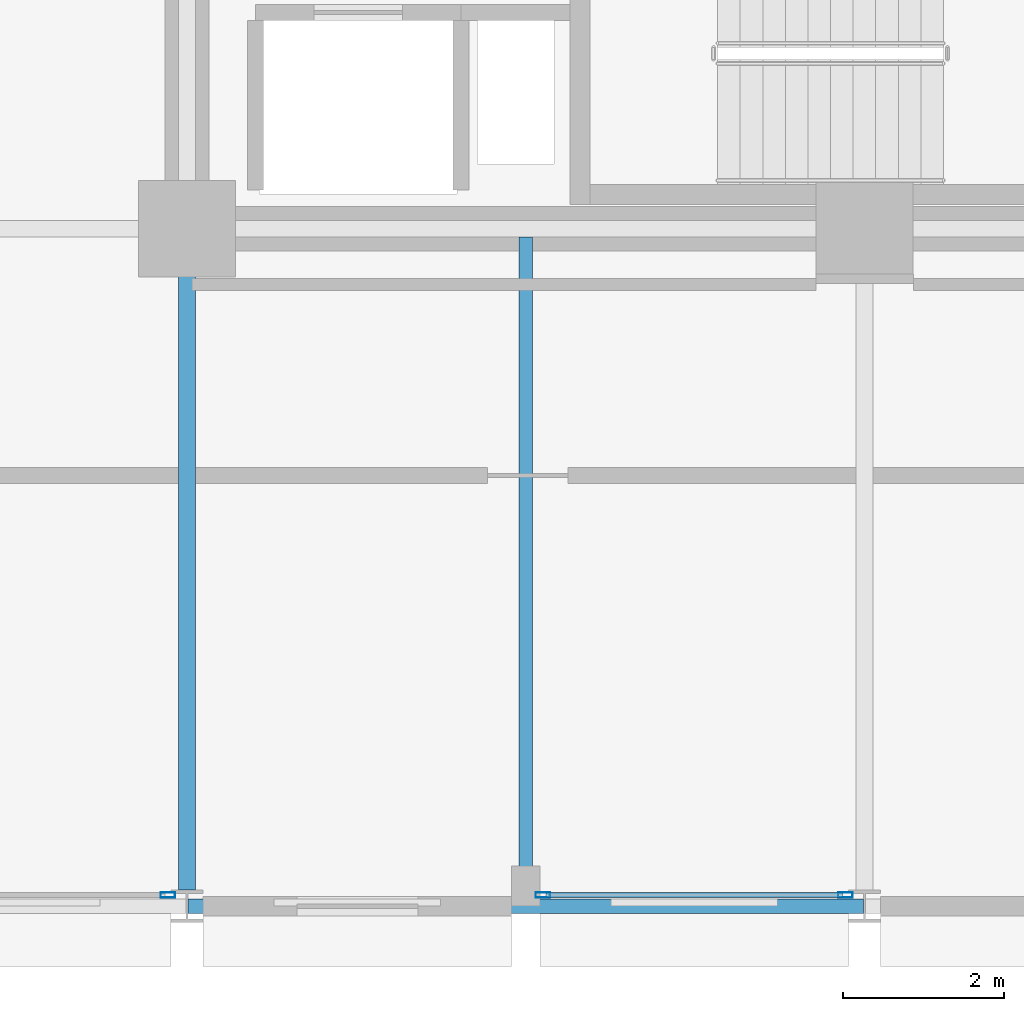
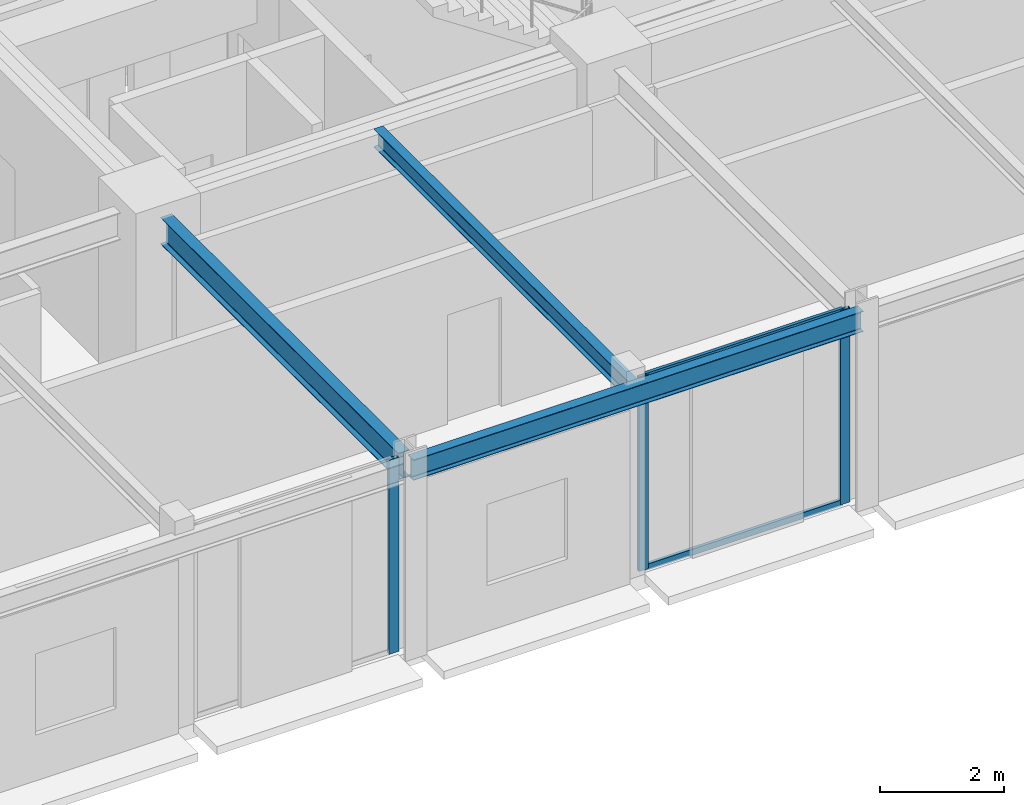
# One storey, part 6 of 30: 5 members, 3 beams, 2 elements without a shape of their own.
"""IFC4 building model written with IfcOpenShell, lengths in metres."""

from ifc_helpers import new_model, si_unit, direction, frame, origin, origin_2d, place, context, subcontext, project, spatial, hollow_rectangle, i_section, extrude, material, layer, layer_set, material_profile, profile_set, type_object, element, aggregate, save


model = new_model("IFC4")

# Units and contexts
model_context = context("Model", 3, precision=1e-05, world=origin(), true_north=direction((0.0, 1.0)))
body_context = subcontext(model_context, "Body", "Model", "MODEL_VIEW")
ifc_project = project(units=[si_unit("LENGTHUNIT", "METRE"), si_unit("AREAUNIT", "SQUARE_METRE"), si_unit("VOLUMEUNIT", "CUBIC_METRE"), si_unit("PLANEANGLEUNIT", "RADIAN"), si_unit("MASSUNIT", "GRAM", prefix="KILO")], contexts=[model_context])

# Site, building, storey
site_placement = place(None, origin())
site = spatial("IfcSite", under=ifc_project, at=site_placement, CompositionType="ELEMENT")
building_placement = place(site_placement, origin())
building = spatial("IfcBuilding", under=site, at=building_placement, Name="Nerrivon Quay Data Exchange", CompositionType="ELEMENT")
storey_placement = place(building_placement, frame((0.0, 0.0, 129.5)))
storey = spatial("IfcBuildingStorey", under=building, at=storey_placement, Name="L30", CompositionType="ELEMENT", Elevation=129.5)

# Beams
ifc_material_1 = material(Name="Steel Grade 350", Category="steel")
ifc_material_profile_1 = material_profile(ifc_material_1, i_section(OverallWidth=0.208984375, OverallDepth=0.528076171875, WebThickness=0.009521484375, FlangeThickness=0.01318359375, FilletRadius=0.013916015625, at=origin_2d()), Name="530UB82.0")
ifc_profile_set_1 = profile_set([ifc_material_profile_1], Name="Steel Grade 350")
beam_type_1 = type_object("IfcBeamType", Name="BM-G4-530UB82", PredefinedType="BEAM", material=ifc_profile_set_1)
beam_1_placement = place(storey_placement, frame((16.800048828125, 0.199951171875, 3.56103515625), z_axis=(0.0, 1.0, 0.0), x_axis=(-1.0, 0.0, 0.0)))
element("IfcBeam", 1, at=beam_1_placement, inside=storey, type_object=beam_type_1, Name="L30 NS Girder X=16.8 (0.0..8.4)", PredefinedType="BEAM", context=body_context, shape_type="SweptSolid", body=[
    extrude(i_section(OverallWidth=0.208984375, OverallDepth=0.528076171875, WebThickness=0.009521484375, FlangeThickness=0.01318359375, FilletRadius=0.013916015625, at=origin_2d()), origin(), (0.0, 0.0, 1.0), 7.66015625),
])
ifc_material_profile_2 = material_profile(ifc_material_1, i_section(OverallWidth=0.1708984375, OverallDepth=0.35595703125, WebThickness=0.00732421875, FlangeThickness=0.011474609375, FilletRadius=0.011474609375, at=origin_2d()), Name="360UB50.7")
ifc_profile_set_2 = profile_set([ifc_material_profile_2], Name="Steel Grade 350")
beam_type_2 = type_object("IfcBeamType", Name="BM-J4-360UB51", PredefinedType="JOIST", material=ifc_profile_set_2)
beam_2_placement = place(storey_placement, frame((21.0, 0.089111328125, 3.64697265625), z_axis=(0.0, 1.0, 0.0), x_axis=(-1.0, 0.0, 0.0)))
element("IfcBeam", 2, at=beam_2_placement, inside=storey, type_object=beam_type_2, Name="L30 Secondary Joist X=21.0 (0.0..8.4)", PredefinedType="JOIST", context=body_context, shape_type="SweptSolid", body=[
    extrude(i_section(OverallWidth=0.1708984375, OverallDepth=0.35595703125, WebThickness=0.00732421875, FlangeThickness=0.011474609375, FilletRadius=0.011474609375, at=origin_2d()), origin(), (0.0, 0.0, 1.0), 8.206298828125),
])
ifc_material_profile_3 = material_profile(ifc_material_1, i_section(OverallWidth=0.177978515625, OverallDepth=0.403076171875, WebThickness=0.007568359375, FlangeThickness=0.010986328125, FilletRadius=0.011474609375, at=origin_2d()), Name="410UB53.7")
ifc_profile_set_3 = profile_set([ifc_material_profile_3], Name="Steel Grade 350")
beam_type_3 = type_object("IfcBeamType", Name="BM-SP2-410UB54", PredefinedType="SPANDREL", material=ifc_profile_set_3)
beam_3_placement = place(storey_placement, frame((16.8125, 0.0, 3.62353515625), z_axis=(1.0, 0.0, 0.0), x_axis=(0.0, 1.0, 0.0)))
element("IfcBeam", 3, at=beam_3_placement, inside=storey, type_object=beam_type_3, Name="L30 EW Girder Y=0.0 (16.8..25.2)", PredefinedType="SPANDREL", context=body_context, shape_type="SweptSolid", body=[
    extrude(i_section(OverallWidth=0.177978515625, OverallDepth=0.403076171875, WebThickness=0.007568359375, FlangeThickness=0.010986328125, FilletRadius=0.011474609375, at=origin_2d()), origin(), (0.0, 0.0, 1.0), 8.375),
])

# Curtain wall, members
ifc_material_2 = material(Name="Anodised aluminium 6063-T6", Category="aluminium")
ifc_layer = layer(ifc_material_2, 0.2099609375)
ifc_layer_set = layer_set([ifc_layer], Name="Anodised aluminium 6063-T6")
curtain_wall_type = type_object("IfcCurtainWallType", Name="CW-SYS-02", PredefinedType="NOTDEFINED", material=ifc_layer_set)
curtain_wall_1_placement = place(storey_placement, origin())
curtain_wall_1 = element("IfcCurtainWall", 4, at=curtain_wall_1_placement, inside=storey, type_object=curtain_wall_type, Name="L30 Unitised Curtain Wall 4", PredefinedType="NOTDEFINED")
ifc_material_profile_4 = material_profile(ifc_material_2, hollow_rectangle(XDim=0.06494140625, YDim=0.179931640625, WallThickness=0.00341796875, at=origin_2d()), Name="ALU-MULL-180x65")
ifc_profile_set_4 = profile_set([ifc_material_profile_4], Name="Anodised aluminium 6063-T6")
member_type_1 = type_object("IfcMemberType", Name="CWM-180x65", PredefinedType="MULLION", material=ifc_profile_set_4)
member_1_placement = place(storey_placement, frame((24.96240234375, 0.139892578125, 0.0), z_axis=(0.0, 0.0, 1.0), x_axis=(0.0, -1.0, 0.0)))
member_1 = element("IfcMember", 5, at=member_1_placement, type_object=member_type_1, Name="CW02 mullion 1", PredefinedType="MULLION", context=body_context, shape_type="SweptSolid", body=[
    extrude(hollow_rectangle(XDim=0.06494140625, YDim=0.179931640625, WallThickness=0.00341796875, at=origin_2d()), origin(), (0.0, 0.0, 1.0), 3.824951171875),
])
member_2_placement = place(storey_placement, frame((21.21240234375, 0.139892578125, 0.0), z_axis=(0.0, 0.0, 1.0), x_axis=(0.0, -1.0, 0.0)))
member_2 = element("IfcMember", 6, at=member_2_placement, type_object=member_type_1, Name="CW02 mullion 2", PredefinedType="MULLION", context=body_context, shape_type="SweptSolid", body=[
    extrude(hollow_rectangle(XDim=0.06494140625, YDim=0.179931640625, WallThickness=0.00341796875, at=origin_2d()), origin(), (0.0, 0.0, 1.0), 3.824951171875),
])

# Curtain wall, member
curtain_wall_2_placement = place(storey_placement, origin())
curtain_wall_2 = element("IfcCurtainWall", 7, at=curtain_wall_2_placement, inside=storey, type_object=curtain_wall_type, Name="L30 Unitised Curtain Wall 6", PredefinedType="NOTDEFINED")
member_3_placement = place(storey_placement, frame((16.5625, 0.139892578125, 0.0), z_axis=(0.0, 0.0, 1.0), x_axis=(0.0, -1.0, 0.0)))
member_3 = element("IfcMember", 8, at=member_3_placement, type_object=member_type_1, Name="CW02 mullion 1", PredefinedType="MULLION", context=body_context, shape_type="SweptSolid", body=[
    extrude(hollow_rectangle(XDim=0.06494140625, YDim=0.179931640625, WallThickness=0.00341796875, at=origin_2d()), origin(), (0.0, 0.0, 1.0), 3.824951171875),
])
aggregate(curtain_wall_2, [member_3])

# Member
ifc_material_profile_5 = material_profile(ifc_material_2, hollow_rectangle(XDim=0.06005859375, YDim=0.1201171875, WallThickness=0.003173828125, at=origin_2d()), Name="ALU-TRAN-120x60")
ifc_profile_set_5 = profile_set([ifc_material_profile_5], Name="Anodised aluminium 6063-T6")
member_type_2 = type_object("IfcMemberType", Name="CWT-120x60", PredefinedType="USERDEFINED", material=ifc_profile_set_5)
member_4_placement = place(storey_placement, frame((24.925048828125, 0.139892578125, 0.032470703125), z_axis=(-1.0, 0.0, 0.0), x_axis=(0.0, -1.0, 0.0)))
member_4 = element("IfcMember", 9, at=member_4_placement, type_object=member_type_2, Name="CW02 transom 1.1", ObjectType="TRANSOM", PredefinedType="USERDEFINED", context=body_context, shape_type="SweptSolid", body=[
    extrude(hollow_rectangle(XDim=0.06005859375, YDim=0.1201171875, WallThickness=0.003173828125, at=origin_2d()), origin(), (0.0, 0.0, 1.0), 3.675048828125),
])

member_5_placement = place(storey_placement, frame((24.925048828125, 0.139892578125, 3.79248046875), z_axis=(-1.0, 0.0, 0.0), x_axis=(0.0, -1.0, 0.0)))
member_5 = element("IfcMember", 10, at=member_5_placement, type_object=member_type_2, Name="CW02 transom 1.2", ObjectType="TRANSOM", PredefinedType="USERDEFINED", context=body_context, shape_type="SweptSolid", body=[
    extrude(hollow_rectangle(XDim=0.06005859375, YDim=0.1201171875, WallThickness=0.003173828125, at=origin_2d()), origin(), (0.0, 0.0, 1.0), 3.675048828125),
])

aggregate(curtain_wall_1, [member_1, member_2, member_4, member_5])

save(model, "model.ifc")
